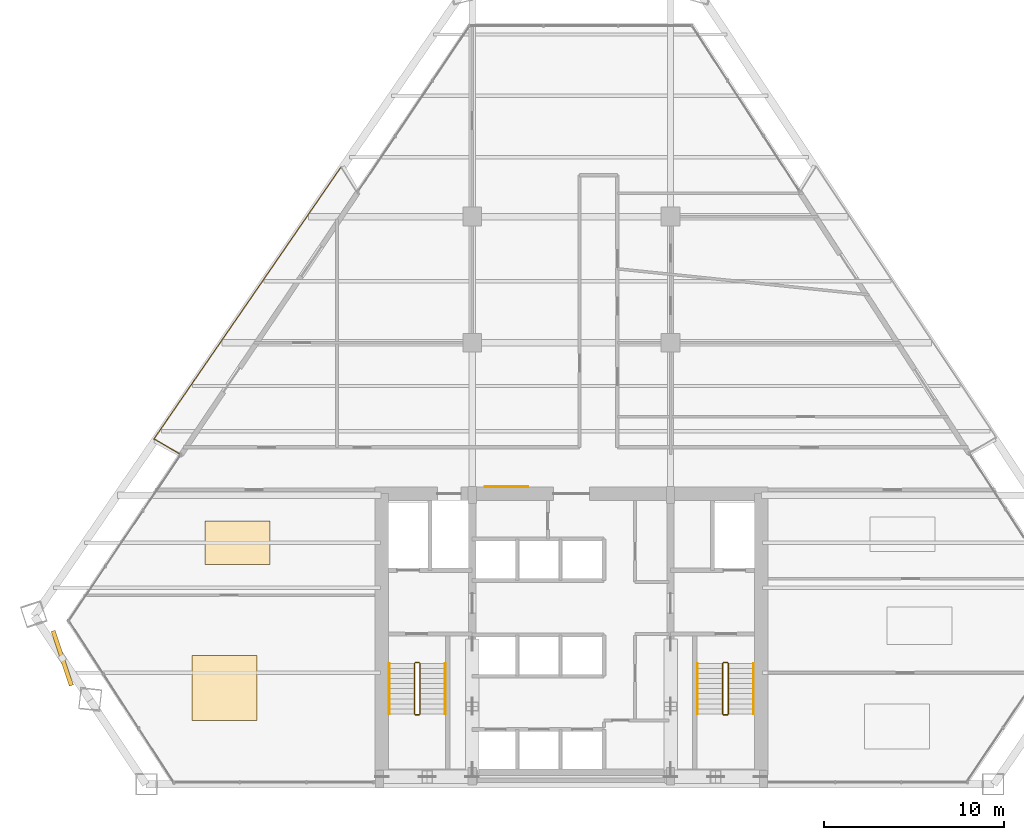
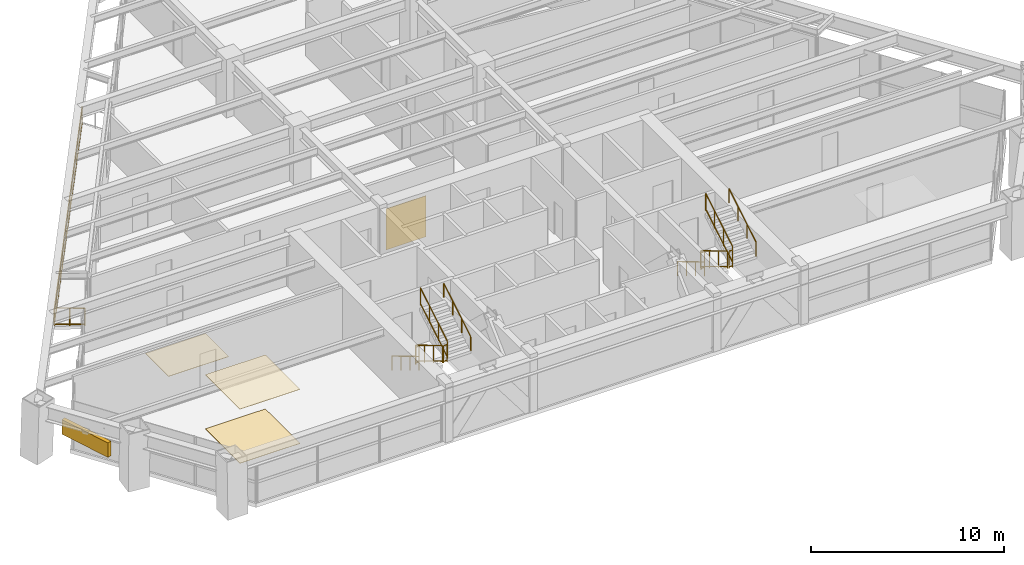
# One storey, part 13 of 14: 14 railings, 4 coverings, 1 shading device.
"""IFC4 building model written with IfcOpenShell, lengths in metres."""

from ifc_helpers import new_model, si_unit, direction, frame, origin, origin_2d, place, context, subcontext, project, spatial, rectangle, extrude, source, transform, mapped, material, layer, layer_set, type_object, type_shapes, element, save


model = new_model("IFC4")

# Units and contexts
model_context = context("Model", 3, precision=1e-05, world=origin(), true_north=direction((0.0, 1.0)))
body_context = subcontext(model_context, "Body", "Model", "MODEL_VIEW")
ifc_project = project(units=[si_unit("LENGTHUNIT", "METRE"), si_unit("AREAUNIT", "SQUARE_METRE"), si_unit("VOLUMEUNIT", "CUBIC_METRE"), si_unit("PLANEANGLEUNIT", "RADIAN"), si_unit("MASSUNIT", "GRAM", prefix="KILO")], contexts=[model_context])

# Site, building, storey
site_placement = place(None, origin())
site = spatial("IfcSite", under=ifc_project, at=site_placement, CompositionType="ELEMENT")
building_placement = place(site_placement, origin())
building = spatial("IfcBuilding", under=site, at=building_placement, Name="Varnakhor Terracotta Tower", CompositionType="ELEMENT")
storey_placement = place(building_placement, frame((0.0, 0.0, 91.39990234375)))
storey = spatial("IfcBuildingStorey", under=building, at=storey_placement, Name="L22", CompositionType="ELEMENT", Elevation=91.39990234375)

# Railings
ifc_material_1 = material(Name="Stainless Steel & Laminated Glass Guardrail", Category="steel")
railing_type_1 = type_object("IfcRailingType", Name="RLG-LOGGIA-GUARD-1150", PredefinedType="GUARDRAIL", material=ifc_material_1)
railing_1_placement = place(storey_placement, frame((-21.7705078125, 18.356689453125, 0.0)))
element("IfcRailing", 1, at=railing_1_placement, inside=storey, type_object=railing_type_1, Name="L22 W Loggia Glass Guard 1", PredefinedType="GUARDRAIL", context=body_context, shape_type="SweptSolid", body=[
    extrude(rectangle(XDim=0.048095703125, YDim=0.048095703125, at=origin_2d()), frame((0.0, 0.0, 1.1259765625), z_axis=(-0.862142006955, 0.506666714758, 0.0), x_axis=(-0.506666714758, -0.862142006955, 0.0)), (0.0, 0.0, 1.0), 1.600341796875),
    extrude(rectangle(XDim=0.048095703125, YDim=0.048095703125, at=origin_2d()), frame((0.0, 0.0, 0.10009765625), z_axis=(-0.862142006955, 0.506666714758, 0.0), x_axis=(-0.506666714758, -0.862142006955, 0.0)), (0.0, 0.0, 1.0), 1.600341796875),
    extrude(rectangle(XDim=0.0419921875, YDim=0.0419921875, at=origin_2d()), origin(), (0.0, 0.0, 1.0), 1.101806640625),
    extrude(rectangle(XDim=0.0419921875, YDim=0.0419921875, at=origin_2d()), frame((-0.68994140625, 0.4052734375, 0.0)), (0.0, 0.0, 1.0), 1.101806640625),
    extrude(rectangle(XDim=0.0419921875, YDim=0.0419921875, at=origin_2d()), frame((-1.379638671875, 0.810791015625, 0.0)), (0.0, 0.0, 1.0), 1.101806640625),
])
railing_2_placement = place(storey_placement, frame((-23.150146484375, 19.16748046875, 0.0)))
element("IfcRailing", 2, at=railing_2_placement, inside=storey, type_object=railing_type_1, Name="L22 W Loggia Glass Guard 2", PredefinedType="GUARDRAIL", context=body_context, shape_type="SweptSolid", body=[
    extrude(rectangle(XDim=0.048095703125, YDim=0.048095703125, at=origin_2d()), frame((0.0, 0.0, 1.1259765625), z_axis=(0.56661147582, 0.823985094203, 0.0), x_axis=(-0.823985094203, 0.56661147582, 0.0)), (0.0, 0.0, 1.0), 18.302001953125),
    extrude(rectangle(XDim=0.048095703125, YDim=0.048095703125, at=origin_2d()), frame((0.0, 0.0, 0.10009765625), z_axis=(0.56661147582, 0.823985094203, 0.0), x_axis=(-0.823985094203, 0.56661147582, 0.0)), (0.0, 0.0, 1.0), 18.302001953125),
    extrude(rectangle(XDim=0.0419921875, YDim=0.0419921875, at=origin_2d()), origin(), (0.0, 0.0, 1.0), 1.101806640625),
    extrude(rectangle(XDim=0.0419921875, YDim=0.0419921875, at=origin_2d()), frame((0.74072265625, 1.0771484375, 0.0)), (0.0, 0.0, 1.0), 1.101806640625),
    extrude(rectangle(XDim=0.0419921875, YDim=0.0419921875, at=origin_2d()), frame((1.4814453125, 2.154296875, 0.0)), (0.0, 0.0, 1.0), 1.101806640625),
    extrude(rectangle(XDim=0.0419921875, YDim=0.0419921875, at=origin_2d()), frame((2.22216796875, 3.2314453125, 0.0)), (0.0, 0.0, 1.0), 1.101806640625),
    extrude(rectangle(XDim=0.0419921875, YDim=0.0419921875, at=origin_2d()), frame((2.962890625, 4.308837890625, 0.0)), (0.0, 0.0, 1.0), 1.101806640625),
    extrude(rectangle(XDim=0.0419921875, YDim=0.0419921875, at=origin_2d()), frame((3.70361328125, 5.385986328125, 0.0)), (0.0, 0.0, 1.0), 1.101806640625),
    extrude(rectangle(XDim=0.0419921875, YDim=0.0419921875, at=origin_2d()), frame((4.4443359375, 6.463134765625, 0.0)), (0.0, 0.0, 1.0), 1.101806640625),
    extrude(rectangle(XDim=0.0419921875, YDim=0.0419921875, at=origin_2d()), frame((5.18505859375, 7.540283203125, 0.0)), (0.0, 0.0, 1.0), 1.101806640625),
    extrude(rectangle(XDim=0.0419921875, YDim=0.0419921875, at=origin_2d()), frame((5.92578125, 8.617431640625, 0.0)), (0.0, 0.0, 1.0), 1.101806640625),
    extrude(rectangle(XDim=0.0419921875, YDim=0.0419921875, at=origin_2d()), frame((6.66650390625, 9.694580078125, 0.0)), (0.0, 0.0, 1.0), 1.101806640625),
    extrude(rectangle(XDim=0.0419921875, YDim=0.0419921875, at=origin_2d()), frame((7.4072265625, 10.771728515625, 0.0)), (0.0, 0.0, 1.0), 1.101806640625),
    extrude(rectangle(XDim=0.0419921875, YDim=0.0419921875, at=origin_2d()), frame((8.14794921875, 11.84912109375, 0.0)), (0.0, 0.0, 1.0), 1.101806640625),
    extrude(rectangle(XDim=0.0419921875, YDim=0.0419921875, at=origin_2d()), frame((8.888671875, 12.92626953125, 0.0)), (0.0, 0.0, 1.0), 1.101806640625),
    extrude(rectangle(XDim=0.0419921875, YDim=0.0419921875, at=origin_2d()), frame((9.62939453125, 14.00341796875, 0.0)), (0.0, 0.0, 1.0), 1.101806640625),
    extrude(rectangle(XDim=0.0419921875, YDim=0.0419921875, at=origin_2d()), frame((10.3701171875, 15.08056640625, 0.0)), (0.0, 0.0, 1.0), 1.101806640625),
])
ifc_material_2 = material(Name="Painted Steel Stairwell Guardrail", Category="steel")
railing_type_2 = type_object("IfcRailingType", Name="RLG-STAIR-GUARD-1120", PredefinedType="GUARDRAIL", material=ifc_material_2)
railing_3_placement = place(storey_placement, frame((-8.699951171875, 6.7099609375, 0.168212890625)))
element("IfcRailing", 3, at=railing_3_placement, inside=storey, type_object=railing_type_2, Name="L22 ST-1 stair guard 1", PredefinedType="GUARDRAIL", context=body_context, shape_type="SweptSolid", body=[
    extrude(rectangle(XDim=0.048095703125, YDim=0.048095703125, at=origin_2d()), frame((0.0, 0.0, 1.09619140625), z_axis=(0.0, -0.857242210791, 0.514913383045), x_axis=(1.0, 0.0, 0.0)), (0.0, 0.0, 1.0), 3.266357421875),
    extrude(rectangle(XDim=0.048095703125, YDim=0.048095703125, at=origin_2d()), frame((0.0, 0.0, 0.10009765625), z_axis=(0.0, -0.857242210791, 0.514913383045), x_axis=(1.0, 0.0, 0.0)), (0.0, 0.0, 1.0), 3.266357421875),
    extrude(rectangle(XDim=0.0419921875, YDim=0.0419921875, at=origin_2d()), origin(), (0.0, 0.0, 1.0), 1.072021484375),
    extrude(rectangle(XDim=0.0419921875, YDim=0.0419921875, at=origin_2d()), frame((0.0, -0.933349609375, 0.560546875)), (0.0, 0.0, 1.0), 1.072021484375),
    extrude(rectangle(XDim=0.0419921875, YDim=0.0419921875, at=origin_2d()), frame((0.0, -1.86669921875, 1.121337890625)), (0.0, 0.0, 1.0), 1.072021484375),
    extrude(rectangle(XDim=0.0419921875, YDim=0.0419921875, at=origin_2d()), frame((0.0, -2.800048828125, 1.681884765625)), (0.0, 0.0, 1.0), 1.072021484375),
])
railing_4_placement = place(storey_placement, frame((-8.64990234375, 3.860107421875, 1.85009765625)))
element("IfcRailing", 4, at=railing_4_placement, inside=storey, type_object=railing_type_2, Name="L22 ST-1 stair guard 2", PredefinedType="GUARDRAIL", context=body_context, shape_type="SweptSolid", body=[
    extrude(rectangle(XDim=0.048095703125, YDim=0.048095703125, at=origin_2d()), frame((0.0, 0.0, 1.09619140625), z_axis=(1.0, 0.0, 0.0), x_axis=(0.0, 1.0, 0.0)), (0.0, 0.0, 1.0), 0.199951171875),
    extrude(rectangle(XDim=0.048095703125, YDim=0.048095703125, at=origin_2d()), frame((0.0, 0.0, 0.10009765625), z_axis=(1.0, 0.0, 0.0), x_axis=(0.0, 1.0, 0.0)), (0.0, 0.0, 1.0), 0.199951171875),
    extrude(rectangle(XDim=0.0419921875, YDim=0.0419921875, at=origin_2d()), origin(), (0.0, 0.0, 1.0), 1.072021484375),
    extrude(rectangle(XDim=0.0419921875, YDim=0.0419921875, at=origin_2d()), frame((0.199951171875, 0.0, 0.0)), (0.0, 0.0, 1.0), 1.072021484375),
])
railing_5_placement = place(storey_placement, frame((-8.39990234375, 3.909912109375, 2.018310546875)))
element("IfcRailing", 5, at=railing_5_placement, inside=storey, type_object=railing_type_2, Name="L22 ST-1 stair guard 3", PredefinedType="GUARDRAIL", context=body_context, shape_type="SweptSolid", body=[
    extrude(rectangle(XDim=0.048095703125, YDim=0.048095703125, at=origin_2d()), frame((0.0, 0.0, 1.09619140625), z_axis=(0.0, 0.857242210791, 0.514913383045), x_axis=(-1.0, 0.0, 0.0)), (0.0, 0.0, 1.0), 3.266357421875),
    extrude(rectangle(XDim=0.048095703125, YDim=0.048095703125, at=origin_2d()), frame((0.0, 0.0, 0.10009765625), z_axis=(0.0, 0.857242210791, 0.514913383045), x_axis=(-1.0, 0.0, 0.0)), (0.0, 0.0, 1.0), 3.266357421875),
    extrude(rectangle(XDim=0.0419921875, YDim=0.0419921875, at=origin_2d()), origin(), (0.0, 0.0, 1.0), 1.072021484375),
    extrude(rectangle(XDim=0.0419921875, YDim=0.0419921875, at=origin_2d()), frame((0.0, 0.933349609375, 0.560546875)), (0.0, 0.0, 1.0), 1.072021484375),
    extrude(rectangle(XDim=0.0419921875, YDim=0.0419921875, at=origin_2d()), frame((0.0, 1.86669921875, 1.121337890625)), (0.0, 0.0, 1.0), 1.072021484375),
    extrude(rectangle(XDim=0.0419921875, YDim=0.0419921875, at=origin_2d()), frame((0.0, 2.800048828125, 1.681884765625)), (0.0, 0.0, 1.0), 1.072021484375),
])
railing_6_placement = place(storey_placement, frame((-8.64990234375, 6.760009765625, 0.0)))
element("IfcRailing", 6, at=railing_6_placement, inside=storey, type_object=railing_type_2, Name="L22 ST-1 stair guard 4", PredefinedType="GUARDRAIL", context=body_context, shape_type="SweptSolid", body=[
    extrude(rectangle(XDim=0.048095703125, YDim=0.048095703125, at=origin_2d()), frame((0.0, 0.0, 1.09619140625), z_axis=(1.0, 0.0, 0.0), x_axis=(0.0, 1.0, 0.0)), (0.0, 0.0, 1.0), 0.199951171875),
    extrude(rectangle(XDim=0.048095703125, YDim=0.048095703125, at=origin_2d()), frame((0.0, 0.0, 0.10009765625), z_axis=(1.0, 0.0, 0.0), x_axis=(0.0, 1.0, 0.0)), (0.0, 0.0, 1.0), 0.199951171875),
    extrude(rectangle(XDim=0.0419921875, YDim=0.0419921875, at=origin_2d()), origin(), (0.0, 0.0, 1.0), 1.072021484375),
    extrude(rectangle(XDim=0.0419921875, YDim=0.0419921875, at=origin_2d()), frame((0.199951171875, 0.0, 0.0)), (0.0, 0.0, 1.0), 1.072021484375),
])
railing_7_placement = place(storey_placement, frame((8.39990234375, 6.7099609375, 0.168212890625)))
element("IfcRailing", 7, at=railing_7_placement, inside=storey, type_object=railing_type_2, Name="L22 ST-2 stair guard 1", PredefinedType="GUARDRAIL", context=body_context, shape_type="SweptSolid", body=[
    extrude(rectangle(XDim=0.048095703125, YDim=0.048095703125, at=origin_2d()), frame((0.0, 0.0, 1.09619140625), z_axis=(0.0, -0.857242210791, 0.514913383045), x_axis=(1.0, 0.0, 0.0)), (0.0, 0.0, 1.0), 3.266357421875),
    extrude(rectangle(XDim=0.048095703125, YDim=0.048095703125, at=origin_2d()), frame((0.0, 0.0, 0.10009765625), z_axis=(0.0, -0.857242210791, 0.514913383045), x_axis=(1.0, 0.0, 0.0)), (0.0, 0.0, 1.0), 3.266357421875),
    extrude(rectangle(XDim=0.0419921875, YDim=0.0419921875, at=origin_2d()), origin(), (0.0, 0.0, 1.0), 1.072021484375),
    extrude(rectangle(XDim=0.0419921875, YDim=0.0419921875, at=origin_2d()), frame((0.0, -0.933349609375, 0.560546875)), (0.0, 0.0, 1.0), 1.072021484375),
    extrude(rectangle(XDim=0.0419921875, YDim=0.0419921875, at=origin_2d()), frame((0.0, -1.86669921875, 1.121337890625)), (0.0, 0.0, 1.0), 1.072021484375),
    extrude(rectangle(XDim=0.0419921875, YDim=0.0419921875, at=origin_2d()), frame((0.0, -2.800048828125, 1.681884765625)), (0.0, 0.0, 1.0), 1.072021484375),
])
railing_8_placement = place(storey_placement, frame((8.449951171875, 3.860107421875, 1.85009765625)))
element("IfcRailing", 8, at=railing_8_placement, inside=storey, type_object=railing_type_2, Name="L22 ST-2 stair guard 2", PredefinedType="GUARDRAIL", context=body_context, shape_type="SweptSolid", body=[
    extrude(rectangle(XDim=0.048095703125, YDim=0.048095703125, at=origin_2d()), frame((0.0, 0.0, 1.09619140625), z_axis=(1.0, 0.0, 0.0), x_axis=(0.0, 1.0, 0.0)), (0.0, 0.0, 1.0), 0.199951171875),
    extrude(rectangle(XDim=0.048095703125, YDim=0.048095703125, at=origin_2d()), frame((0.0, 0.0, 0.10009765625), z_axis=(1.0, 0.0, 0.0), x_axis=(0.0, 1.0, 0.0)), (0.0, 0.0, 1.0), 0.199951171875),
    extrude(rectangle(XDim=0.0419921875, YDim=0.0419921875, at=origin_2d()), origin(), (0.0, 0.0, 1.0), 1.072021484375),
    extrude(rectangle(XDim=0.0419921875, YDim=0.0419921875, at=origin_2d()), frame((0.199951171875, 0.0, 0.0)), (0.0, 0.0, 1.0), 1.072021484375),
])
railing_9_placement = place(storey_placement, frame((8.699951171875, 3.909912109375, 2.018310546875)))
element("IfcRailing", 9, at=railing_9_placement, inside=storey, type_object=railing_type_2, Name="L22 ST-2 stair guard 3", PredefinedType="GUARDRAIL", context=body_context, shape_type="SweptSolid", body=[
    extrude(rectangle(XDim=0.048095703125, YDim=0.048095703125, at=origin_2d()), frame((0.0, 0.0, 1.09619140625), z_axis=(0.0, 0.857242210791, 0.514913383045), x_axis=(-1.0, 0.0, 0.0)), (0.0, 0.0, 1.0), 3.266357421875),
    extrude(rectangle(XDim=0.048095703125, YDim=0.048095703125, at=origin_2d()), frame((0.0, 0.0, 0.10009765625), z_axis=(0.0, 0.857242210791, 0.514913383045), x_axis=(-1.0, 0.0, 0.0)), (0.0, 0.0, 1.0), 3.266357421875),
    extrude(rectangle(XDim=0.0419921875, YDim=0.0419921875, at=origin_2d()), origin(), (0.0, 0.0, 1.0), 1.072021484375),
    extrude(rectangle(XDim=0.0419921875, YDim=0.0419921875, at=origin_2d()), frame((0.0, 0.933349609375, 0.560546875)), (0.0, 0.0, 1.0), 1.072021484375),
    extrude(rectangle(XDim=0.0419921875, YDim=0.0419921875, at=origin_2d()), frame((0.0, 1.86669921875, 1.121337890625)), (0.0, 0.0, 1.0), 1.072021484375),
    extrude(rectangle(XDim=0.0419921875, YDim=0.0419921875, at=origin_2d()), frame((0.0, 2.800048828125, 1.681884765625)), (0.0, 0.0, 1.0), 1.072021484375),
])
railing_10_placement = place(storey_placement, frame((8.449951171875, 6.760009765625, 0.0)))
element("IfcRailing", 10, at=railing_10_placement, inside=storey, type_object=railing_type_2, Name="L22 ST-2 stair guard 4", PredefinedType="GUARDRAIL", context=body_context, shape_type="SweptSolid", body=[
    extrude(rectangle(XDim=0.048095703125, YDim=0.048095703125, at=origin_2d()), frame((0.0, 0.0, 1.09619140625), z_axis=(1.0, 0.0, 0.0), x_axis=(0.0, 1.0, 0.0)), (0.0, 0.0, 1.0), 0.199951171875),
    extrude(rectangle(XDim=0.048095703125, YDim=0.048095703125, at=origin_2d()), frame((0.0, 0.0, 0.10009765625), z_axis=(1.0, 0.0, 0.0), x_axis=(0.0, 1.0, 0.0)), (0.0, 0.0, 1.0), 0.199951171875),
    extrude(rectangle(XDim=0.0419921875, YDim=0.0419921875, at=origin_2d()), origin(), (0.0, 0.0, 1.0), 1.072021484375),
    extrude(rectangle(XDim=0.0419921875, YDim=0.0419921875, at=origin_2d()), frame((0.199951171875, 0.0, 0.0)), (0.0, 0.0, 1.0), 1.072021484375),
])
ifc_material_3 = material(Name="Brushed Stainless Steel Handrail", Category="steel")
railing_type_3 = type_object("IfcRailingType", Name="RLG-STAIR-HANDRAIL-920", PredefinedType="HANDRAIL", material=ifc_material_3)
railing_11_placement = place(storey_placement, frame((-10.10009765625, 6.7099609375, 0.168212890625)))
element("IfcRailing", 11, at=railing_11_placement, inside=storey, type_object=railing_type_3, Name="L22 ST-1 stair handrail 1", PredefinedType="HANDRAIL", context=body_context, shape_type="SweptSolid", body=[
    extrude(rectangle(XDim=0.048095703125, YDim=0.048095703125, at=origin_2d()), frame((0.0, 0.0, 0.89599609375), z_axis=(0.0, -0.857242210791, 0.514913383045), x_axis=(1.0, 0.0, 0.0)), (0.0, 0.0, 1.0), 3.266357421875),
    extrude(rectangle(XDim=0.0419921875, YDim=0.0419921875, at=origin_2d()), origin(), (0.0, 0.0, 1.0), 0.871826171875),
    extrude(rectangle(XDim=0.0419921875, YDim=0.0419921875, at=origin_2d()), frame((0.0, -0.933349609375, 0.560546875)), (0.0, 0.0, 1.0), 0.871826171875),
    extrude(rectangle(XDim=0.0419921875, YDim=0.0419921875, at=origin_2d()), frame((0.0, -1.86669921875, 1.121337890625)), (0.0, 0.0, 1.0), 0.871826171875),
    extrude(rectangle(XDim=0.0419921875, YDim=0.0419921875, at=origin_2d()), frame((0.0, -2.800048828125, 1.681884765625)), (0.0, 0.0, 1.0), 0.871826171875),
])
railing_12_placement = place(storey_placement, frame((-7.0, 3.909912109375, 2.018310546875)))
element("IfcRailing", 12, at=railing_12_placement, inside=storey, type_object=railing_type_3, Name="L22 ST-1 stair handrail 2", PredefinedType="HANDRAIL", context=body_context, shape_type="SweptSolid", body=[
    extrude(rectangle(XDim=0.048095703125, YDim=0.048095703125, at=origin_2d()), frame((0.0, 0.0, 0.89599609375), z_axis=(0.0, 0.857242210791, 0.514913383045), x_axis=(-1.0, 0.0, 0.0)), (0.0, 0.0, 1.0), 3.266357421875),
    extrude(rectangle(XDim=0.0419921875, YDim=0.0419921875, at=origin_2d()), origin(), (0.0, 0.0, 1.0), 0.871826171875),
    extrude(rectangle(XDim=0.0419921875, YDim=0.0419921875, at=origin_2d()), frame((0.0, 0.933349609375, 0.560546875)), (0.0, 0.0, 1.0), 0.871826171875),
    extrude(rectangle(XDim=0.0419921875, YDim=0.0419921875, at=origin_2d()), frame((0.0, 1.86669921875, 1.121337890625)), (0.0, 0.0, 1.0), 0.871826171875),
    extrude(rectangle(XDim=0.0419921875, YDim=0.0419921875, at=origin_2d()), frame((0.0, 2.800048828125, 1.681884765625)), (0.0, 0.0, 1.0), 0.871826171875),
])
railing_13_placement = place(storey_placement, frame((7.0, 6.7099609375, 0.168212890625)))
element("IfcRailing", 13, at=railing_13_placement, inside=storey, type_object=railing_type_3, Name="L22 ST-2 stair handrail 1", PredefinedType="HANDRAIL", context=body_context, shape_type="SweptSolid", body=[
    extrude(rectangle(XDim=0.048095703125, YDim=0.048095703125, at=origin_2d()), frame((0.0, 0.0, 0.89599609375), z_axis=(0.0, -0.857242210791, 0.514913383045), x_axis=(1.0, 0.0, 0.0)), (0.0, 0.0, 1.0), 3.266357421875),
    extrude(rectangle(XDim=0.0419921875, YDim=0.0419921875, at=origin_2d()), origin(), (0.0, 0.0, 1.0), 0.871826171875),
    extrude(rectangle(XDim=0.0419921875, YDim=0.0419921875, at=origin_2d()), frame((0.0, -0.933349609375, 0.560546875)), (0.0, 0.0, 1.0), 0.871826171875),
    extrude(rectangle(XDim=0.0419921875, YDim=0.0419921875, at=origin_2d()), frame((0.0, -1.86669921875, 1.121337890625)), (0.0, 0.0, 1.0), 0.871826171875),
    extrude(rectangle(XDim=0.0419921875, YDim=0.0419921875, at=origin_2d()), frame((0.0, -2.800048828125, 1.681884765625)), (0.0, 0.0, 1.0), 0.871826171875),
])
railing_14_placement = place(storey_placement, frame((10.10009765625, 3.909912109375, 2.018310546875)))
element("IfcRailing", 14, at=railing_14_placement, inside=storey, type_object=railing_type_3, Name="L22 ST-2 stair handrail 2", PredefinedType="HANDRAIL", context=body_context, shape_type="SweptSolid", body=[
    extrude(rectangle(XDim=0.048095703125, YDim=0.048095703125, at=origin_2d()), frame((0.0, 0.0, 0.89599609375), z_axis=(0.0, 0.857242210791, 0.514913383045), x_axis=(-1.0, 0.0, 0.0)), (0.0, 0.0, 1.0), 3.266357421875),
    extrude(rectangle(XDim=0.0419921875, YDim=0.0419921875, at=origin_2d()), origin(), (0.0, 0.0, 1.0), 0.871826171875),
    extrude(rectangle(XDim=0.0419921875, YDim=0.0419921875, at=origin_2d()), frame((0.0, 0.933349609375, 0.560546875)), (0.0, 0.0, 1.0), 0.871826171875),
    extrude(rectangle(XDim=0.0419921875, YDim=0.0419921875, at=origin_2d()), frame((0.0, 1.86669921875, 1.121337890625)), (0.0, 0.0, 1.0), 0.871826171875),
    extrude(rectangle(XDim=0.0419921875, YDim=0.0419921875, at=origin_2d()), frame((0.0, 2.800048828125, 1.681884765625)), (0.0, 0.0, 1.0), 0.871826171875),
])

# Shading device
ifc_material_4 = material(Name="Extruded Architectural Terracotta Screen", Category="masonry")
shading_device_type = type_object("IfcShadingDeviceType", Name="TERRACOTTA SOLAR SCREEN W", PredefinedType="USERDEFINED", material=ifc_material_4)
shared_shape_1 = source(origin(), body_context, "Body", "SweptSolid", [
    extrude(rectangle(XDim=3.199951171875, YDim=0.239990234375, at=origin_2d()), origin(), (0.0, 0.0, 1.0), 0.919921875),
])
type_shapes(shading_device_type, [shared_shape_1])
shading_device_placement = place(storey_placement, frame((-28.243896484375, 7.002685546875, 1.6181640625), z_axis=(0.0, 0.0, 1.0), x_axis=(0.317619114986, -0.948218380857, 0.0)))
element("IfcShadingDevice", 15, at=shading_device_placement, inside=storey, type_object=shading_device_type, Name="L22 W Terracotta Solar Screen", ObjectType="SCREEN", PredefinedType="USERDEFINED", context=body_context, shape_type="MappedRepresentation", body=[
    mapped(shared_shape_1, transform((0.0, 0.0, 0.0), scale=1.0)),
])

# Coverings
ifc_material_5 = material(Name="Extruded Architectural Terracotta Cladding", Category="masonry")
ifc_layer_1 = layer(ifc_material_5, 0.044921875, Name="Extruded Architectural Terracotta Cladding")
ifc_layer_set_1 = layer_set([ifc_layer_1], Name="Extruded Architectural Terracotta Cladding")
covering_type_1 = type_object("IfcCoveringType", Name="COV-CLAD-TERRACOTTA", PredefinedType="CLADDING", material=ifc_layer_set_1)
shared_shape_2 = source(origin(), body_context, "Body", "SweptSolid", [
    extrude(rectangle(XDim=2.39990234375, YDim=0.030029296875, at=origin_2d()), origin(), (0.0, 0.0, 1.0), 2.60009765625),
])
type_shapes(covering_type_1, [shared_shape_2])
covering_1_placement = place(storey_placement, frame((-3.60009765625, 16.511962890625, 0.0), z_axis=(0.0, 0.0, 1.0), x_axis=(1.0, 0.0, 0.0)))
element("IfcCovering", 16, at=covering_1_placement, inside=storey, type_object=covering_type_1, Name="L22 Core Lobby Limestone Cladding", PredefinedType="CLADDING", context=body_context, shape_type="MappedRepresentation", body=[
    mapped(shared_shape_2, transform((0.0, 0.0, 0.0), scale=1.0)),
])
ifc_material_6 = material(Name="Honed Riyadh Limestone Flooring", Category="masonry")
ifc_layer_2 = layer(ifc_material_6, 0.030029296875, Name="Honed Riyadh Limestone Flooring")
ifc_layer_set_2 = layer_set([ifc_layer_2], Name="Honed Riyadh Limestone Flooring")
covering_type_2 = type_object("IfcCoveringType", Name="COV-FLOOR-LIMESTONE", PredefinedType="FLOORING", material=ifc_layer_set_2)
shared_shape_3 = source(origin(), body_context, "Body", "SweptSolid", [
    extrude(rectangle(XDim=3.60009765625, YDim=3.60009765625, at=origin_2d()), origin(), (0.0, 0.0, 1.0), 0.02001953125),
])
covering_2_placement = place(storey_placement, frame((-19.236083984375, 5.35205078125, 0.0), z_axis=(0.0, 0.0, 1.0), x_axis=(1.0, 0.0, 0.0)))
element("IfcCovering", 17, at=covering_2_placement, inside=storey, type_object=covering_type_2, Name="L22 Honed Stone Flooring 2", PredefinedType="FLOORING", context=body_context, shape_type="MappedRepresentation", body=[
    mapped(shared_shape_3, transform((0.0, 0.0, 0.0), scale=1.0)),
])
ifc_material_7 = material(Name="Perforated Acoustic Mineral-Fibre Ceiling", Category="gypsum")
ifc_layer_3 = layer(ifc_material_7, 0.02490234375, Name="Perforated Acoustic Mineral-Fibre Ceiling")
ifc_layer_set_3 = layer_set([ifc_layer_3], Name="Perforated Acoustic Mineral-Fibre Ceiling")
covering_type_3 = type_object("IfcCoveringType", Name="COV-CEILING-ACOUSTIC", PredefinedType="CEILING", material=ifc_layer_set_3)
shared_shape_4 = source(origin(), body_context, "Body", "SweptSolid", [
    extrude(rectangle(XDim=3.60009765625, YDim=3.60009765625, at=origin_2d()), origin(), (0.0, 0.0, 1.0), 0.02392578125),
])
covering_3_placement = place(storey_placement, frame((-19.236083984375, 5.35205078125, 3.426025390625), z_axis=(0.0, 0.0, 1.0), x_axis=(1.0, 0.0, 0.0)))
element("IfcCovering", 18, at=covering_3_placement, inside=storey, type_object=covering_type_3, Name="L22 Acoustic Ceiling Panel 2", PredefinedType="CEILING", context=body_context, shape_type="MappedRepresentation", body=[
    mapped(shared_shape_4, transform((0.0, 0.0, 0.0), scale=1.0)),
])
shared_shape_5 = source(origin(), body_context, "Body", "SweptSolid", [
    extrude(rectangle(XDim=3.60009765625, YDim=2.406982421875, at=origin_2d()), origin(), (0.0, 0.0, 1.0), 0.02001953125),
])
covering_4_placement = place(storey_placement, frame((-18.510986328125, 13.4140625, 0.0), z_axis=(0.0, 0.0, 1.0), x_axis=(1.0, 0.0, 0.0)))
element("IfcCovering", 19, at=covering_4_placement, inside=storey, type_object=covering_type_2, Name="L22 Honed Stone Flooring 4", PredefinedType="FLOORING", context=body_context, shape_type="MappedRepresentation", body=[
    mapped(shared_shape_5, transform((0.0, 0.0, 0.0), scale=1.0)),
])

save(model, "model.ifc")
